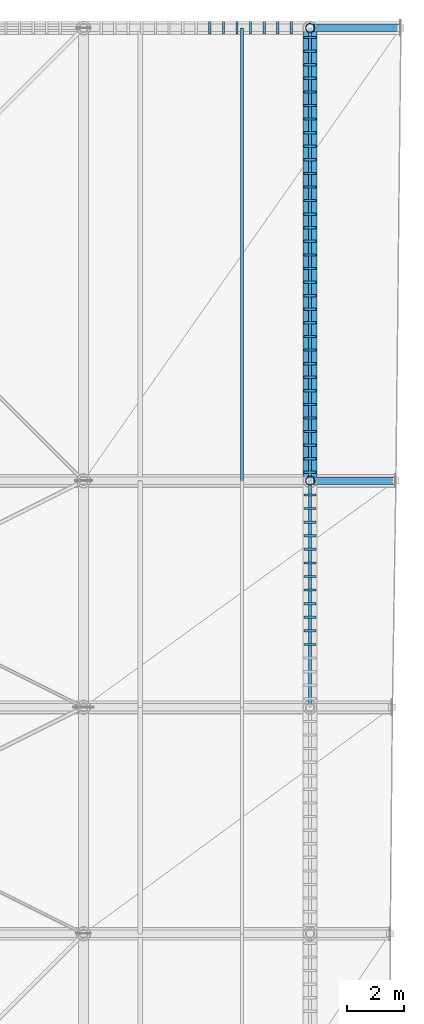
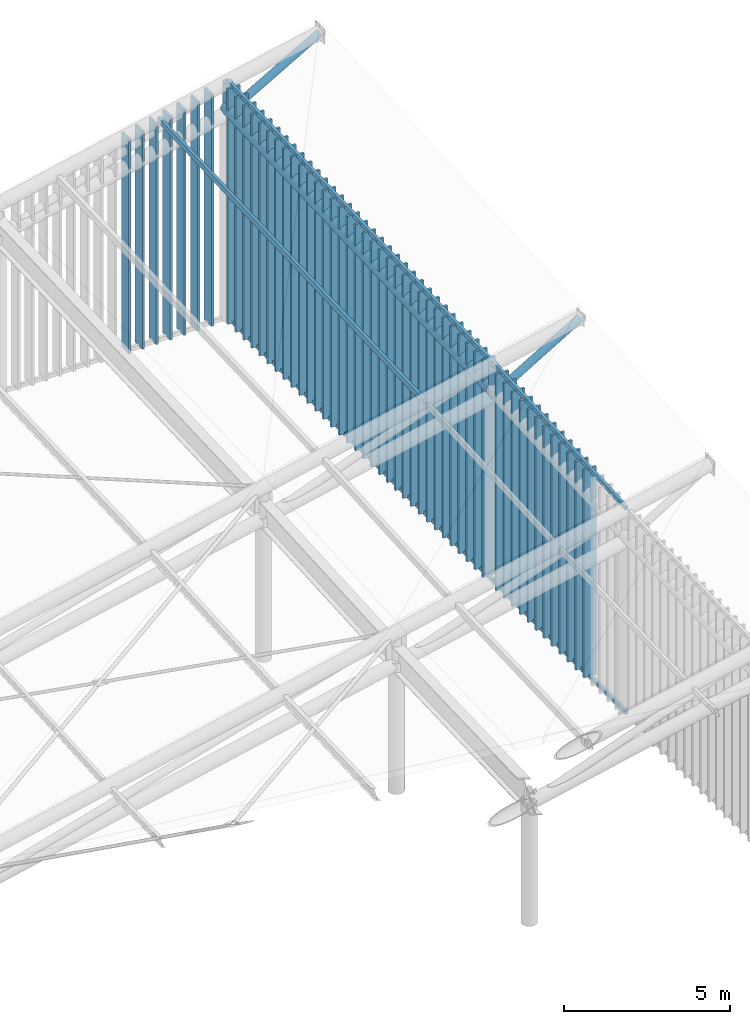
# One storey, part 13 of 25: 61 members, 1 beam.
"""IFC4 building model written with IfcOpenShell, lengths in metres."""

from ifc_helpers import new_model, si_unit, direction, frame, origin, origin_2d, place, context, subcontext, project, spatial, rectangle, hollow_rectangle, hollow_circle, extrude, material, material_profile, profile_set, type_object, element, save


model = new_model("IFC4")

# Units and contexts
model_context = context("Model", 3, precision=1e-05, world=origin(), true_north=direction((0.0, 1.0)))
body_context = subcontext(model_context, "Body", "Model", "MODEL_VIEW")
ifc_project = project(units=[si_unit("LENGTHUNIT", "METRE"), si_unit("AREAUNIT", "SQUARE_METRE"), si_unit("VOLUMEUNIT", "CUBIC_METRE"), si_unit("PLANEANGLEUNIT", "RADIAN"), si_unit("MASSUNIT", "GRAM", prefix="KILO")], contexts=[model_context])

# Site, building, storey
site_placement = place(None, origin())
site = spatial("IfcSite", under=ifc_project, at=site_placement, CompositionType="ELEMENT")
building_placement = place(site_placement, origin())
building = spatial("IfcBuilding", under=site, at=building_placement, Name="Haebicheon Civic Stadium", CompositionType="ELEMENT")
storey_placement = place(building_placement, frame((0.0, 0.0, 31.199951171875)))
storey = spatial("IfcBuildingStorey", under=building, at=storey_placement, Name="RF", CompositionType="ELEMENT", Elevation=31.199951171875)

# Members
ifc_material_1 = material(Name="White painted steel SM490", Category="steel")
ifc_material_profile_1 = material_profile(ifc_material_1, hollow_circle(Radius=0.1337890625, WallThickness=0.011962890625, at=origin_2d()), Name="CHS-267.4x12.0")
ifc_profile_set_1 = profile_set([ifc_material_profile_1], Name="White painted steel SM490")
member_type_1 = type_object("IfcMemberType", Name="BRC-CHS267", PredefinedType="BRACE", material=ifc_profile_set_1)
member_1_placement = place(storey_placement, frame((72.1201171875, 120.0, 6.928955078125), z_axis=(0.859424380547, 0.0, 0.51126288162), x_axis=(0.0, 1.0, 0.0)))
element("IfcMember", 1, at=member_1_placement, inside=storey, type_object=member_type_1, material=ifc_profile_set_1, Name="BR267 diagonal brace CAN-WEST truss 8 tip", PredefinedType="BRACE", context=body_context, shape_type="SweptSolid", body=[
    extrude(hollow_circle(Radius=0.1337890625, WallThickness=0.011962890625, at=origin_2d()), origin(), (0.0, 0.0, 1.0), 3.3798828125),
])
member_2_placement = place(storey_placement, frame((72.12109375, 136.0, 7.60107421875), z_axis=(0.867183260084, 0.0, 0.497989149911), x_axis=(0.0, 1.0, 0.0)))
element("IfcMember", 2, at=member_2_placement, inside=storey, type_object=member_type_1, material=ifc_profile_set_1, Name="BR267 diagonal brace CAN-WEST truss 9 tip", PredefinedType="BRACE", context=body_context, shape_type="SweptSolid", body=[
    extrude(hollow_circle(Radius=0.1337890625, WallThickness=0.011962890625, at=origin_2d()), origin(), (0.0, 0.0, 1.0), 3.55029296875),
])
ifc_material_2 = material(Name="Acetylated timber GL28h", Category="wood")
ifc_material_profile_2 = material_profile(ifc_material_2, rectangle(XDim=0.080078125, YDim=0.43994140625, at=origin_2d()), Name="TMB-LOUV-80x440")
ifc_profile_set_2 = profile_set([ifc_material_profile_2], Name="Acetylated timber GL28h")
member_type_2 = type_object("IfcMemberType", Name="CRN-LVR-440x80", PredefinedType="PLATE", material=ifc_profile_set_2)
member_3_placement = place(storey_placement, frame((72.0, 114.219970703125, 0.050048828125), z_axis=(0.0, 0.0, 1.0), x_axis=(0.0, 1.0, 0.0)))
element("IfcMember", 3, at=member_3_placement, inside=storey, type_object=member_type_2, material=ifc_profile_set_2, Name="Crown wind-baffle slat E.7.5", PredefinedType="PLATE", context=body_context, shape_type="SweptSolid", body=[
    extrude(rectangle(XDim=0.080078125, YDim=0.43994140625, at=origin_2d()), origin(), (0.0, 0.0, 1.0), 7.637939453125),
])
member_4_placement = place(storey_placement, frame((72.0, 114.699951171875, 0.050048828125), z_axis=(0.0, 0.0, 1.0), x_axis=(0.0, 1.0, 0.0)))
element("IfcMember", 4, at=member_4_placement, inside=storey, type_object=member_type_2, material=ifc_profile_set_2, Name="Crown wind-baffle slat E.7.6", PredefinedType="PLATE", context=body_context, shape_type="SweptSolid", body=[
    extrude(rectangle(XDim=0.080078125, YDim=0.43994140625, at=origin_2d()), origin(), (0.0, 0.0, 1.0), 7.6669921875),
])
member_5_placement = place(storey_placement, frame((72.0, 115.179931640625, 0.050048828125), z_axis=(0.0, 0.0, 1.0), x_axis=(0.0, 1.0, 0.0)))
element("IfcMember", 5, at=member_5_placement, inside=storey, type_object=member_type_2, material=ifc_profile_set_2, Name="Crown wind-baffle slat E.7.7", PredefinedType="PLATE", context=body_context, shape_type="SweptSolid", body=[
    extrude(rectangle(XDim=0.080078125, YDim=0.43994140625, at=origin_2d()), origin(), (0.0, 0.0, 1.0), 7.696044921875),
])
member_6_placement = place(storey_placement, frame((72.0, 115.659912109375, 0.050048828125), z_axis=(0.0, 0.0, 1.0), x_axis=(0.0, 1.0, 0.0)))
element("IfcMember", 6, at=member_6_placement, inside=storey, type_object=member_type_2, material=ifc_profile_set_2, Name="Crown wind-baffle slat E.7.8", PredefinedType="PLATE", context=body_context, shape_type="SweptSolid", body=[
    extrude(rectangle(XDim=0.080078125, YDim=0.43994140625, at=origin_2d()), origin(), (0.0, 0.0, 1.0), 7.72509765625),
])
member_7_placement = place(storey_placement, frame((72.0, 116.139892578125, 0.050048828125), z_axis=(0.0, 0.0, 1.0), x_axis=(0.0, 1.0, 0.0)))
element("IfcMember", 7, at=member_7_placement, inside=storey, type_object=member_type_2, material=ifc_profile_set_2, Name="Crown wind-baffle slat E.7.9", PredefinedType="PLATE", context=body_context, shape_type="SweptSolid", body=[
    extrude(rectangle(XDim=0.080078125, YDim=0.43994140625, at=origin_2d()), origin(), (0.0, 0.0, 1.0), 7.75390625),
])
member_8_placement = place(storey_placement, frame((72.0, 116.6201171875, 0.050048828125), z_axis=(0.0, 0.0, 1.0), x_axis=(0.0, 1.0, 0.0)))
element("IfcMember", 8, at=member_8_placement, inside=storey, type_object=member_type_2, material=ifc_profile_set_2, Name="Crown wind-baffle slat E.7.10", PredefinedType="PLATE", context=body_context, shape_type="SweptSolid", body=[
    extrude(rectangle(XDim=0.080078125, YDim=0.43994140625, at=origin_2d()), origin(), (0.0, 0.0, 1.0), 7.782958984375),
])
member_9_placement = place(storey_placement, frame((72.0, 117.10009765625, 0.050048828125), z_axis=(0.0, 0.0, 1.0), x_axis=(0.0, 1.0, 0.0)))
element("IfcMember", 9, at=member_9_placement, inside=storey, type_object=member_type_2, material=ifc_profile_set_2, Name="Crown wind-baffle slat E.7.11", PredefinedType="PLATE", context=body_context, shape_type="SweptSolid", body=[
    extrude(rectangle(XDim=0.080078125, YDim=0.43994140625, at=origin_2d()), origin(), (0.0, 0.0, 1.0), 7.81201171875),
])
member_10_placement = place(storey_placement, frame((72.0, 117.580078125, 0.050048828125), z_axis=(0.0, 0.0, 1.0), x_axis=(0.0, 1.0, 0.0)))
element("IfcMember", 10, at=member_10_placement, inside=storey, type_object=member_type_2, material=ifc_profile_set_2, Name="Crown wind-baffle slat E.7.12", PredefinedType="PLATE", context=body_context, shape_type="SweptSolid", body=[
    extrude(rectangle(XDim=0.080078125, YDim=0.43994140625, at=origin_2d()), origin(), (0.0, 0.0, 1.0), 7.840087890625),
])
member_11_placement = place(storey_placement, frame((72.0, 118.06005859375, 0.050048828125), z_axis=(0.0, 0.0, 1.0), x_axis=(0.0, 1.0, 0.0)))
element("IfcMember", 11, at=member_11_placement, inside=storey, type_object=member_type_2, material=ifc_profile_set_2, Name="Crown wind-baffle slat E.7.13", PredefinedType="PLATE", context=body_context, shape_type="SweptSolid", body=[
    extrude(rectangle(XDim=0.080078125, YDim=0.43994140625, at=origin_2d()), origin(), (0.0, 0.0, 1.0), 7.868896484375),
])
member_12_placement = place(storey_placement, frame((72.0, 118.5400390625, 0.050048828125), z_axis=(0.0, 0.0, 1.0), x_axis=(0.0, 1.0, 0.0)))
element("IfcMember", 12, at=member_12_placement, inside=storey, type_object=member_type_2, material=ifc_profile_set_2, Name="Crown wind-baffle slat E.7.14", PredefinedType="PLATE", context=body_context, shape_type="SweptSolid", body=[
    extrude(rectangle(XDim=0.080078125, YDim=0.43994140625, at=origin_2d()), origin(), (0.0, 0.0, 1.0), 7.89794921875),
])
member_13_placement = place(storey_placement, frame((72.0, 119.02001953125, 0.050048828125), z_axis=(0.0, 0.0, 1.0), x_axis=(0.0, 1.0, 0.0)))
element("IfcMember", 13, at=member_13_placement, inside=storey, type_object=member_type_2, material=ifc_profile_set_2, Name="Crown wind-baffle slat E.7.15", PredefinedType="PLATE", context=body_context, shape_type="SweptSolid", body=[
    extrude(rectangle(XDim=0.080078125, YDim=0.43994140625, at=origin_2d()), origin(), (0.0, 0.0, 1.0), 7.927001953125),
])
member_14_placement = place(storey_placement, frame((72.0, 119.5, 0.050048828125), z_axis=(0.0, 0.0, 1.0), x_axis=(0.0, 1.0, 0.0)))
element("IfcMember", 14, at=member_14_placement, inside=storey, type_object=member_type_2, material=ifc_profile_set_2, Name="Crown wind-baffle slat E.7.16", PredefinedType="PLATE", context=body_context, shape_type="SweptSolid", body=[
    extrude(rectangle(XDim=0.080078125, YDim=0.43994140625, at=origin_2d()), origin(), (0.0, 0.0, 1.0), 7.9560546875),
])
member_15_placement = place(storey_placement, frame((72.0, 120.300048828125, 0.050048828125), z_axis=(0.0, 0.0, 1.0), x_axis=(0.0, 1.0, 0.0)))
element("IfcMember", 15, at=member_15_placement, inside=storey, type_object=member_type_2, material=ifc_profile_set_2, Name="Crown wind-baffle slat E.8.1", PredefinedType="PLATE", context=body_context, shape_type="SweptSolid", body=[
    extrude(rectangle(XDim=0.080078125, YDim=0.43994140625, at=origin_2d()), origin(), (0.0, 0.0, 1.0), 7.9990234375),
])
member_16_placement = place(storey_placement, frame((72.0, 120.780029296875, 0.050048828125), z_axis=(0.0, 0.0, 1.0), x_axis=(0.0, 1.0, 0.0)))
element("IfcMember", 16, at=member_16_placement, inside=storey, type_object=member_type_2, material=ifc_profile_set_2, Name="Crown wind-baffle slat E.8.2", PredefinedType="PLATE", context=body_context, shape_type="SweptSolid", body=[
    extrude(rectangle(XDim=0.080078125, YDim=0.43994140625, at=origin_2d()), origin(), (0.0, 0.0, 1.0), 8.01904296875),
])
member_17_placement = place(storey_placement, frame((72.0, 121.260009765625, 0.050048828125), z_axis=(0.0, 0.0, 1.0), x_axis=(0.0, 1.0, 0.0)))
element("IfcMember", 17, at=member_17_placement, inside=storey, type_object=member_type_2, material=ifc_profile_set_2, Name="Crown wind-baffle slat E.8.3", PredefinedType="PLATE", context=body_context, shape_type="SweptSolid", body=[
    extrude(rectangle(XDim=0.080078125, YDim=0.43994140625, at=origin_2d()), origin(), (0.0, 0.0, 1.0), 8.0390625),
])
member_18_placement = place(storey_placement, frame((72.0, 121.739990234375, 0.050048828125), z_axis=(0.0, 0.0, 1.0), x_axis=(0.0, 1.0, 0.0)))
element("IfcMember", 18, at=member_18_placement, inside=storey, type_object=member_type_2, material=ifc_profile_set_2, Name="Crown wind-baffle slat E.8.4", PredefinedType="PLATE", context=body_context, shape_type="SweptSolid", body=[
    extrude(rectangle(XDim=0.080078125, YDim=0.43994140625, at=origin_2d()), origin(), (0.0, 0.0, 1.0), 8.05908203125),
])
member_19_placement = place(storey_placement, frame((72.0, 122.219970703125, 0.050048828125), z_axis=(0.0, 0.0, 1.0), x_axis=(0.0, 1.0, 0.0)))
element("IfcMember", 19, at=member_19_placement, inside=storey, type_object=member_type_2, material=ifc_profile_set_2, Name="Crown wind-baffle slat E.8.5", PredefinedType="PLATE", context=body_context, shape_type="SweptSolid", body=[
    extrude(rectangle(XDim=0.080078125, YDim=0.43994140625, at=origin_2d()), origin(), (0.0, 0.0, 1.0), 8.080078125),
])
member_20_placement = place(storey_placement, frame((72.0, 122.699951171875, 0.050048828125), z_axis=(0.0, 0.0, 1.0), x_axis=(0.0, 1.0, 0.0)))
element("IfcMember", 20, at=member_20_placement, inside=storey, type_object=member_type_2, material=ifc_profile_set_2, Name="Crown wind-baffle slat E.8.6", PredefinedType="PLATE", context=body_context, shape_type="SweptSolid", body=[
    extrude(rectangle(XDim=0.080078125, YDim=0.43994140625, at=origin_2d()), origin(), (0.0, 0.0, 1.0), 8.10009765625),
])
member_21_placement = place(storey_placement, frame((72.0, 123.179931640625, 0.050048828125), z_axis=(0.0, 0.0, 1.0), x_axis=(0.0, 1.0, 0.0)))
element("IfcMember", 21, at=member_21_placement, inside=storey, type_object=member_type_2, material=ifc_profile_set_2, Name="Crown wind-baffle slat E.8.7", PredefinedType="PLATE", context=body_context, shape_type="SweptSolid", body=[
    extrude(rectangle(XDim=0.080078125, YDim=0.43994140625, at=origin_2d()), origin(), (0.0, 0.0, 1.0), 8.1201171875),
])
member_22_placement = place(storey_placement, frame((72.0, 123.659912109375, 0.050048828125), z_axis=(0.0, 0.0, 1.0), x_axis=(0.0, 1.0, 0.0)))
element("IfcMember", 22, at=member_22_placement, inside=storey, type_object=member_type_2, material=ifc_profile_set_2, Name="Crown wind-baffle slat E.8.8", PredefinedType="PLATE", context=body_context, shape_type="SweptSolid", body=[
    extrude(rectangle(XDim=0.080078125, YDim=0.43994140625, at=origin_2d()), origin(), (0.0, 0.0, 1.0), 8.139892578125),
])
member_23_placement = place(storey_placement, frame((72.0, 124.139892578125, 0.050048828125), z_axis=(0.0, 0.0, 1.0), x_axis=(0.0, 1.0, 0.0)))
element("IfcMember", 23, at=member_23_placement, inside=storey, type_object=member_type_2, material=ifc_profile_set_2, Name="Crown wind-baffle slat E.8.9", PredefinedType="PLATE", context=body_context, shape_type="SweptSolid", body=[
    extrude(rectangle(XDim=0.080078125, YDim=0.43994140625, at=origin_2d()), origin(), (0.0, 0.0, 1.0), 8.159912109375),
])
member_24_placement = place(storey_placement, frame((72.0, 124.6201171875, 0.050048828125), z_axis=(0.0, 0.0, 1.0), x_axis=(0.0, 1.0, 0.0)))
element("IfcMember", 24, at=member_24_placement, inside=storey, type_object=member_type_2, material=ifc_profile_set_2, Name="Crown wind-baffle slat E.8.10", PredefinedType="PLATE", context=body_context, shape_type="SweptSolid", body=[
    extrude(rectangle(XDim=0.080078125, YDim=0.43994140625, at=origin_2d()), origin(), (0.0, 0.0, 1.0), 8.180908203125),
])
member_25_placement = place(storey_placement, frame((72.0, 125.10009765625, 0.050048828125), z_axis=(0.0, 0.0, 1.0), x_axis=(0.0, 1.0, 0.0)))
element("IfcMember", 25, at=member_25_placement, inside=storey, type_object=member_type_2, material=ifc_profile_set_2, Name="Crown wind-baffle slat E.8.11", PredefinedType="PLATE", context=body_context, shape_type="SweptSolid", body=[
    extrude(rectangle(XDim=0.080078125, YDim=0.43994140625, at=origin_2d()), origin(), (0.0, 0.0, 1.0), 8.200927734375),
])
member_26_placement = place(storey_placement, frame((72.0, 125.580078125, 0.050048828125), z_axis=(0.0, 0.0, 1.0), x_axis=(0.0, 1.0, 0.0)))
element("IfcMember", 26, at=member_26_placement, inside=storey, type_object=member_type_2, material=ifc_profile_set_2, Name="Crown wind-baffle slat E.8.12", PredefinedType="PLATE", context=body_context, shape_type="SweptSolid", body=[
    extrude(rectangle(XDim=0.080078125, YDim=0.43994140625, at=origin_2d()), origin(), (0.0, 0.0, 1.0), 8.220947265625),
])
member_27_placement = place(storey_placement, frame((72.0, 126.06005859375, 0.050048828125), z_axis=(0.0, 0.0, 1.0), x_axis=(0.0, 1.0, 0.0)))
element("IfcMember", 27, at=member_27_placement, inside=storey, type_object=member_type_2, material=ifc_profile_set_2, Name="Crown wind-baffle slat E.8.13", PredefinedType="PLATE", context=body_context, shape_type="SweptSolid", body=[
    extrude(rectangle(XDim=0.080078125, YDim=0.43994140625, at=origin_2d()), origin(), (0.0, 0.0, 1.0), 8.240966796875),
])
member_28_placement = place(storey_placement, frame((72.0, 126.5400390625, 0.050048828125), z_axis=(0.0, 0.0, 1.0), x_axis=(0.0, 1.0, 0.0)))
element("IfcMember", 28, at=member_28_placement, inside=storey, type_object=member_type_2, material=ifc_profile_set_2, Name="Crown wind-baffle slat E.8.14", PredefinedType="PLATE", context=body_context, shape_type="SweptSolid", body=[
    extrude(rectangle(XDim=0.080078125, YDim=0.43994140625, at=origin_2d()), origin(), (0.0, 0.0, 1.0), 8.260986328125),
])
member_29_placement = place(storey_placement, frame((72.0, 127.02001953125, 0.050048828125), z_axis=(0.0, 0.0, 1.0), x_axis=(0.0, 1.0, 0.0)))
element("IfcMember", 29, at=member_29_placement, inside=storey, type_object=member_type_2, material=ifc_profile_set_2, Name="Crown wind-baffle slat E.8.15", PredefinedType="PLATE", context=body_context, shape_type="SweptSolid", body=[
    extrude(rectangle(XDim=0.080078125, YDim=0.43994140625, at=origin_2d()), origin(), (0.0, 0.0, 1.0), 8.281982421875),
])
member_30_placement = place(storey_placement, frame((72.0, 127.5, 0.050048828125), z_axis=(0.0, 0.0, 1.0), x_axis=(0.0, 1.0, 0.0)))
element("IfcMember", 30, at=member_30_placement, inside=storey, type_object=member_type_2, material=ifc_profile_set_2, Name="Crown wind-baffle slat E.8.16", PredefinedType="PLATE", context=body_context, shape_type="SweptSolid", body=[
    extrude(rectangle(XDim=0.080078125, YDim=0.43994140625, at=origin_2d()), origin(), (0.0, 0.0, 1.0), 8.302001953125),
])
member_31_placement = place(storey_placement, frame((72.0, 127.97998046875, 0.050048828125), z_axis=(0.0, 0.0, 1.0), x_axis=(0.0, 1.0, 0.0)))
element("IfcMember", 31, at=member_31_placement, inside=storey, type_object=member_type_2, material=ifc_profile_set_2, Name="Crown wind-baffle slat E.8.17", PredefinedType="PLATE", context=body_context, shape_type="SweptSolid", body=[
    extrude(rectangle(XDim=0.080078125, YDim=0.43994140625, at=origin_2d()), origin(), (0.0, 0.0, 1.0), 8.322021484375),
])
member_32_placement = place(storey_placement, frame((72.0, 128.4599609375, 0.050048828125), z_axis=(0.0, 0.0, 1.0), x_axis=(0.0, 1.0, 0.0)))
element("IfcMember", 32, at=member_32_placement, inside=storey, type_object=member_type_2, material=ifc_profile_set_2, Name="Crown wind-baffle slat E.8.18", PredefinedType="PLATE", context=body_context, shape_type="SweptSolid", body=[
    extrude(rectangle(XDim=0.080078125, YDim=0.43994140625, at=origin_2d()), origin(), (0.0, 0.0, 1.0), 8.342041015625),
])
member_33_placement = place(storey_placement, frame((72.0, 128.93994140625, 0.050048828125), z_axis=(0.0, 0.0, 1.0), x_axis=(0.0, 1.0, 0.0)))
element("IfcMember", 33, at=member_33_placement, inside=storey, type_object=member_type_2, material=ifc_profile_set_2, Name="Crown wind-baffle slat E.8.19", PredefinedType="PLATE", context=body_context, shape_type="SweptSolid", body=[
    extrude(rectangle(XDim=0.080078125, YDim=0.43994140625, at=origin_2d()), origin(), (0.0, 0.0, 1.0), 8.363037109375),
])
member_34_placement = place(storey_placement, frame((72.0, 129.419921875, 0.050048828125), z_axis=(0.0, 0.0, 1.0), x_axis=(0.0, 1.0, 0.0)))
element("IfcMember", 34, at=member_34_placement, inside=storey, type_object=member_type_2, material=ifc_profile_set_2, Name="Crown wind-baffle slat E.8.20", PredefinedType="PLATE", context=body_context, shape_type="SweptSolid", body=[
    extrude(rectangle(XDim=0.080078125, YDim=0.43994140625, at=origin_2d()), origin(), (0.0, 0.0, 1.0), 8.383056640625),
])
member_35_placement = place(storey_placement, frame((72.0, 129.89990234375, 0.050048828125), z_axis=(0.0, 0.0, 1.0), x_axis=(0.0, 1.0, 0.0)))
element("IfcMember", 35, at=member_35_placement, inside=storey, type_object=member_type_2, material=ifc_profile_set_2, Name="Crown wind-baffle slat E.8.21", PredefinedType="PLATE", context=body_context, shape_type="SweptSolid", body=[
    extrude(rectangle(XDim=0.080078125, YDim=0.43994140625, at=origin_2d()), origin(), (0.0, 0.0, 1.0), 8.403076171875),
])
member_36_placement = place(storey_placement, frame((72.0, 130.3798828125, 0.050048828125), z_axis=(0.0, 0.0, 1.0), x_axis=(0.0, 1.0, 0.0)))
element("IfcMember", 36, at=member_36_placement, inside=storey, type_object=member_type_2, material=ifc_profile_set_2, Name="Crown wind-baffle slat E.8.22", PredefinedType="PLATE", context=body_context, shape_type="SweptSolid", body=[
    extrude(rectangle(XDim=0.080078125, YDim=0.43994140625, at=origin_2d()), origin(), (0.0, 0.0, 1.0), 8.423095703125),
])
member_37_placement = place(storey_placement, frame((72.0, 130.860107421875, 0.050048828125), z_axis=(0.0, 0.0, 1.0), x_axis=(0.0, 1.0, 0.0)))
element("IfcMember", 37, at=member_37_placement, inside=storey, type_object=member_type_2, material=ifc_profile_set_2, Name="Crown wind-baffle slat E.8.23", PredefinedType="PLATE", context=body_context, shape_type="SweptSolid", body=[
    extrude(rectangle(XDim=0.080078125, YDim=0.43994140625, at=origin_2d()), origin(), (0.0, 0.0, 1.0), 8.443115234375),
])
member_38_placement = place(storey_placement, frame((72.0, 131.340087890625, 0.050048828125), z_axis=(0.0, 0.0, 1.0), x_axis=(0.0, 1.0, 0.0)))
element("IfcMember", 38, at=member_38_placement, inside=storey, type_object=member_type_2, material=ifc_profile_set_2, Name="Crown wind-baffle slat E.8.24", PredefinedType="PLATE", context=body_context, shape_type="SweptSolid", body=[
    extrude(rectangle(XDim=0.080078125, YDim=0.43994140625, at=origin_2d()), origin(), (0.0, 0.0, 1.0), 8.464111328125),
])
member_39_placement = place(storey_placement, frame((72.0, 131.820068359375, 0.050048828125), z_axis=(0.0, 0.0, 1.0), x_axis=(0.0, 1.0, 0.0)))
element("IfcMember", 39, at=member_39_placement, inside=storey, type_object=member_type_2, material=ifc_profile_set_2, Name="Crown wind-baffle slat E.8.25", PredefinedType="PLATE", context=body_context, shape_type="SweptSolid", body=[
    extrude(rectangle(XDim=0.080078125, YDim=0.43994140625, at=origin_2d()), origin(), (0.0, 0.0, 1.0), 8.48388671875),
])
member_40_placement = place(storey_placement, frame((72.0, 132.300048828125, 0.050048828125), z_axis=(0.0, 0.0, 1.0), x_axis=(0.0, 1.0, 0.0)))
element("IfcMember", 40, at=member_40_placement, inside=storey, type_object=member_type_2, material=ifc_profile_set_2, Name="Crown wind-baffle slat E.8.26", PredefinedType="PLATE", context=body_context, shape_type="SweptSolid", body=[
    extrude(rectangle(XDim=0.080078125, YDim=0.43994140625, at=origin_2d()), origin(), (0.0, 0.0, 1.0), 8.50390625),
])
member_41_placement = place(storey_placement, frame((72.0, 132.780029296875, 0.050048828125), z_axis=(0.0, 0.0, 1.0), x_axis=(0.0, 1.0, 0.0)))
element("IfcMember", 41, at=member_41_placement, inside=storey, type_object=member_type_2, material=ifc_profile_set_2, Name="Crown wind-baffle slat E.8.27", PredefinedType="PLATE", context=body_context, shape_type="SweptSolid", body=[
    extrude(rectangle(XDim=0.080078125, YDim=0.43994140625, at=origin_2d()), origin(), (0.0, 0.0, 1.0), 8.52392578125),
])
member_42_placement = place(storey_placement, frame((72.0, 133.260009765625, 0.050048828125), z_axis=(0.0, 0.0, 1.0), x_axis=(0.0, 1.0, 0.0)))
element("IfcMember", 42, at=member_42_placement, inside=storey, type_object=member_type_2, material=ifc_profile_set_2, Name="Crown wind-baffle slat E.8.28", PredefinedType="PLATE", context=body_context, shape_type="SweptSolid", body=[
    extrude(rectangle(XDim=0.080078125, YDim=0.43994140625, at=origin_2d()), origin(), (0.0, 0.0, 1.0), 8.544921875),
])
member_43_placement = place(storey_placement, frame((72.0, 133.739990234375, 0.050048828125), z_axis=(0.0, 0.0, 1.0), x_axis=(0.0, 1.0, 0.0)))
element("IfcMember", 43, at=member_43_placement, inside=storey, type_object=member_type_2, material=ifc_profile_set_2, Name="Crown wind-baffle slat E.8.29", PredefinedType="PLATE", context=body_context, shape_type="SweptSolid", body=[
    extrude(rectangle(XDim=0.080078125, YDim=0.43994140625, at=origin_2d()), origin(), (0.0, 0.0, 1.0), 8.56494140625),
])
member_44_placement = place(storey_placement, frame((72.0, 134.219970703125, 0.050048828125), z_axis=(0.0, 0.0, 1.0), x_axis=(0.0, 1.0, 0.0)))
element("IfcMember", 44, at=member_44_placement, inside=storey, type_object=member_type_2, material=ifc_profile_set_2, Name="Crown wind-baffle slat E.8.30", PredefinedType="PLATE", context=body_context, shape_type="SweptSolid", body=[
    extrude(rectangle(XDim=0.080078125, YDim=0.43994140625, at=origin_2d()), origin(), (0.0, 0.0, 1.0), 8.5849609375),
])
member_45_placement = place(storey_placement, frame((72.0, 134.699951171875, 0.050048828125), z_axis=(0.0, 0.0, 1.0), x_axis=(0.0, 1.0, 0.0)))
element("IfcMember", 45, at=member_45_placement, inside=storey, type_object=member_type_2, material=ifc_profile_set_2, Name="Crown wind-baffle slat E.8.31", PredefinedType="PLATE", context=body_context, shape_type="SweptSolid", body=[
    extrude(rectangle(XDim=0.080078125, YDim=0.43994140625, at=origin_2d()), origin(), (0.0, 0.0, 1.0), 8.60498046875),
])
member_46_placement = place(storey_placement, frame((72.0, 135.179931640625, 0.050048828125), z_axis=(0.0, 0.0, 1.0), x_axis=(0.0, 1.0, 0.0)))
element("IfcMember", 46, at=member_46_placement, inside=storey, type_object=member_type_2, material=ifc_profile_set_2, Name="Crown wind-baffle slat E.8.32", PredefinedType="PLATE", context=body_context, shape_type="SweptSolid", body=[
    extrude(rectangle(XDim=0.080078125, YDim=0.43994140625, at=origin_2d()), origin(), (0.0, 0.0, 1.0), 8.625),
])
member_47_placement = place(storey_placement, frame((72.0, 135.659912109375, 0.050048828125), z_axis=(0.0, 0.0, 1.0), x_axis=(0.0, 1.0, 0.0)))
element("IfcMember", 47, at=member_47_placement, inside=storey, type_object=member_type_2, material=ifc_profile_set_2, Name="Crown wind-baffle slat E.8.33", PredefinedType="PLATE", context=body_context, shape_type="SweptSolid", body=[
    extrude(rectangle(XDim=0.080078125, YDim=0.43994140625, at=origin_2d()), origin(), (0.0, 0.0, 1.0), 8.64599609375),
])
member_48_placement = place(storey_placement, frame((68.4599609375, 136.0, 0.050048828125), z_axis=(0.0, 0.0, 1.0), x_axis=(1.0, 0.0, 0.0)))
element("IfcMember", 48, at=member_48_placement, inside=storey, type_object=member_type_2, material=ifc_profile_set_2, Name="Crown gable wind-baffle slat N.43", PredefinedType="PLATE", context=body_context, shape_type="SweptSolid", body=[
    extrude(rectangle(XDim=0.080078125, YDim=0.43994140625, at=origin_2d()), origin(), (0.0, 0.0, 1.0), 7.89892578125),
])
member_49_placement = place(storey_placement, frame((68.93994140625, 136.0, 0.050048828125), z_axis=(0.0, 0.0, 1.0), x_axis=(1.0, 0.0, 0.0)))
element("IfcMember", 49, at=member_49_placement, inside=storey, type_object=member_type_2, material=ifc_profile_set_2, Name="Crown gable wind-baffle slat N.44", PredefinedType="PLATE", context=body_context, shape_type="SweptSolid", body=[
    extrude(rectangle(XDim=0.080078125, YDim=0.43994140625, at=origin_2d()), origin(), (0.0, 0.0, 1.0), 8.001953125),
])
member_50_placement = place(storey_placement, frame((69.419921875, 136.0, 0.050048828125), z_axis=(0.0, 0.0, 1.0), x_axis=(1.0, 0.0, 0.0)))
element("IfcMember", 50, at=member_50_placement, inside=storey, type_object=member_type_2, material=ifc_profile_set_2, Name="Crown gable wind-baffle slat N.45", PredefinedType="PLATE", context=body_context, shape_type="SweptSolid", body=[
    extrude(rectangle(XDim=0.080078125, YDim=0.43994140625, at=origin_2d()), origin(), (0.0, 0.0, 1.0), 8.10498046875),
])
member_51_placement = place(storey_placement, frame((69.89990234375, 136.0, 0.050048828125), z_axis=(0.0, 0.0, 1.0), x_axis=(1.0, 0.0, 0.0)))
element("IfcMember", 51, at=member_51_placement, inside=storey, type_object=member_type_2, material=ifc_profile_set_2, Name="Crown gable wind-baffle slat N.46", PredefinedType="PLATE", context=body_context, shape_type="SweptSolid", body=[
    extrude(rectangle(XDim=0.080078125, YDim=0.43994140625, at=origin_2d()), origin(), (0.0, 0.0, 1.0), 8.2080078125),
])
member_52_placement = place(storey_placement, frame((70.3798828125, 136.0, 0.050048828125), z_axis=(0.0, 0.0, 1.0), x_axis=(1.0, 0.0, 0.0)))
element("IfcMember", 52, at=member_52_placement, inside=storey, type_object=member_type_2, material=ifc_profile_set_2, Name="Crown gable wind-baffle slat N.47", PredefinedType="PLATE", context=body_context, shape_type="SweptSolid", body=[
    extrude(rectangle(XDim=0.080078125, YDim=0.43994140625, at=origin_2d()), origin(), (0.0, 0.0, 1.0), 8.31201171875),
])
member_53_placement = place(storey_placement, frame((70.860107421875, 136.0, 0.050048828125), z_axis=(0.0, 0.0, 1.0), x_axis=(1.0, 0.0, 0.0)))
element("IfcMember", 53, at=member_53_placement, inside=storey, type_object=member_type_2, material=ifc_profile_set_2, Name="Crown gable wind-baffle slat N.48", PredefinedType="PLATE", context=body_context, shape_type="SweptSolid", body=[
    extrude(rectangle(XDim=0.080078125, YDim=0.43994140625, at=origin_2d()), origin(), (0.0, 0.0, 1.0), 8.4150390625),
])
member_54_placement = place(storey_placement, frame((71.340087890625, 136.0, 0.050048828125), z_axis=(0.0, 0.0, 1.0), x_axis=(1.0, 0.0, 0.0)))
element("IfcMember", 54, at=member_54_placement, inside=storey, type_object=member_type_2, material=ifc_profile_set_2, Name="Crown gable wind-baffle slat N.49", PredefinedType="PLATE", context=body_context, shape_type="SweptSolid", body=[
    extrude(rectangle(XDim=0.080078125, YDim=0.43994140625, at=origin_2d()), origin(), (0.0, 0.0, 1.0), 8.51806640625),
])
ifc_material_3 = material(Name="White painted steel SM490", Category="steel")
ifc_material_profile_3 = material_profile(ifc_material_3, hollow_rectangle(XDim=0.10009765625, YDim=0.199951171875, WallThickness=0.008056640625, at=origin_2d()), Name="RHS-200x100x8.0")
ifc_profile_set_3 = profile_set([ifc_material_profile_3], Name="White painted steel SM490")
member_type_3 = type_object("IfcMemberType", Name="PRL-RHS200", PredefinedType="RAFTER", material=ifc_profile_set_3)
member_55_placement = place(storey_placement, frame((69.60009765625, 120.0, 7.47509765625), z_axis=(0.0, 0.999113731517, 0.042092178539), x_axis=(-1.0, 0.0, 0.0)))
element("IfcMember", 55, at=member_55_placement, inside=storey, type_object=member_type_3, material=ifc_profile_set_3, Name="CAN-WEST canopy purlin bay 8 (90%)", PredefinedType="RAFTER", context=body_context, shape_type="SweptSolid", body=[
    extrude(hollow_rectangle(XDim=0.10009765625, YDim=0.199951171875, WallThickness=0.008056640625, at=origin_2d()), origin(), (0.0, 0.0, 1.0), 16.01416015625),
])

# Beam
ifc_material_4 = material(Name="White painted steel SM490", Category="steel")
ifc_material_profile_4 = material_profile(ifc_material_4, hollow_circle(Radius=0.25390625, WallThickness=0.02490234375, at=origin_2d()), Name="CHS-508.0x25.0")
ifc_profile_set_4 = profile_set([ifc_material_profile_4], Name="White painted steel SM490")
beam_type = type_object("IfcBeamType", Name="RB-ST-CHS508", PredefinedType="USERDEFINED", material=ifc_profile_set_4)
beam_placement = place(storey_placement, frame((72.0, 120.0, 7.10693359375), z_axis=(0.0, 0.999113731517, 0.042092178539), x_axis=(-1.0, 0.0, 0.0)))
element("IfcBeam", 56, at=beam_placement, inside=storey, type_object=beam_type, material=ifc_profile_set_4, Name="CAN-WEST polygonal ring beam RB-PIR bay 8", ObjectType="RING BEAM", PredefinedType="USERDEFINED", context=body_context, shape_type="SweptSolid", body=[
    extrude(hollow_circle(Radius=0.25390625, WallThickness=0.02490234375, at=origin_2d()), origin(), (0.0, 0.0, 1.0), 16.01416015625),
])

# Members
ifc_material_5 = material(Name="White painted steel SM490", Category="steel")
ifc_material_profile_5 = material_profile(ifc_material_5, hollow_circle(Radius=0.1591796875, WallThickness=0.013916015625, at=origin_2d()), Name="CHS-318.5x14.0")
ifc_profile_set_5 = profile_set([ifc_material_profile_5], Name="White painted steel SM490")
member_type_4 = type_object("IfcMemberType", Name="STR-CHS318", PredefinedType="STRUT", material=ifc_profile_set_5)
for number, where, z_axis, x_axis, name in (
    (57, (72.0, 120.0, 6.85693359375), (0.0, 0.0, 1.0), (1.0, 0.0, 0.0), "ST318 web strut CAN-WEST truss 8 VR"),
    (58, (72.0, 136.0, 7.531005859375), (0.0, 0.0, 1.0), (1.0, 0.0, 0.0), "ST318 web strut CAN-WEST truss 9 VR"),
):
    element("IfcMember", number, at=place(storey_placement, frame(where, z_axis=z_axis, x_axis=x_axis)), inside=storey, type_object=member_type_4, material=ifc_profile_set_5, Name=name, PredefinedType="STRUT", context=body_context, shape_type="SweptSolid", body=[
        extrude(hollow_circle(Radius=0.1591796875, WallThickness=0.013916015625, at=origin_2d()), origin(), (0.0, 0.0, 1.0), 1.150146484375),
    ])
ifc_material_6 = material(Name="Steel SM355 (S355)", Category="steel")
ifc_material_profile_6 = material_profile(ifc_material_6, hollow_rectangle(XDim=0.10009765625, YDim=0.14990234375, WallThickness=0.006103515625, at=origin_2d()), Name="RHS-150x100x6.0")
ifc_profile_set_6 = profile_set([ifc_material_profile_6], Name="Steel SM355 (S355)")
member_type_5 = type_object("IfcMemberType", Name="SUB-RHS150", PredefinedType="STRINGER", material=ifc_profile_set_6)
member_56_placement = place(storey_placement, frame((72.0, 112.0, 0.050048828125), z_axis=(0.0, 1.0, 0.0), x_axis=(-1.0, 0.0, 0.0)))
element("IfcMember", 59, at=member_56_placement, inside=storey, type_object=member_type_5, material=ifc_profile_set_6, Name="Crown baffle bottom rail E.7", PredefinedType="STRINGER", context=body_context, shape_type="SweptSolid", body=[
    extrude(hollow_rectangle(XDim=0.10009765625, YDim=0.14990234375, WallThickness=0.006103515625, at=origin_2d()), origin(), (0.0, 0.0, 1.0), 8.0),
])
member_57_placement = place(storey_placement, frame((72.0, 112.0, 7.554931640625), z_axis=(0.0, 0.998195874016, 0.060041628042), x_axis=(-1.0, 0.0, 0.0)))
element("IfcMember", 60, at=member_57_placement, inside=storey, type_object=member_type_5, material=ifc_profile_set_6, Name="Crown baffle top rail E.7", PredefinedType="STRINGER", context=body_context, shape_type="SweptSolid", body=[
    extrude(hollow_rectangle(XDim=0.10009765625, YDim=0.14990234375, WallThickness=0.006103515625, at=origin_2d()), origin(), (0.0, 0.0, 1.0), 8.014404296875),
])
member_58_placement = place(storey_placement, frame((72.0, 120.0, 0.050048828125), z_axis=(0.0, 1.0, 0.0), x_axis=(-1.0, 0.0, 0.0)))
element("IfcMember", 61, at=member_58_placement, inside=storey, type_object=member_type_5, material=ifc_profile_set_6, Name="Crown baffle bottom rail E.8", PredefinedType="STRINGER", context=body_context, shape_type="SweptSolid", body=[
    extrude(hollow_rectangle(XDim=0.10009765625, YDim=0.14990234375, WallThickness=0.006103515625, at=origin_2d()), origin(), (0.0, 0.0, 1.0), 16.0),
])
member_59_placement = place(storey_placement, frame((72.0, 120.0, 8.0361328125), z_axis=(0.0, 0.999114372539, 0.042076960269), x_axis=(-1.0, 0.0, 0.0)))
element("IfcMember", 62, at=member_59_placement, inside=storey, type_object=member_type_5, material=ifc_profile_set_6, Name="Crown baffle top rail E.8", PredefinedType="STRINGER", context=body_context, shape_type="SweptSolid", body=[
    extrude(hollow_rectangle(XDim=0.10009765625, YDim=0.14990234375, WallThickness=0.006103515625, at=origin_2d()), origin(), (0.0, 0.0, 1.0), 16.01416015625),
])

save(model, "model.ifc")
